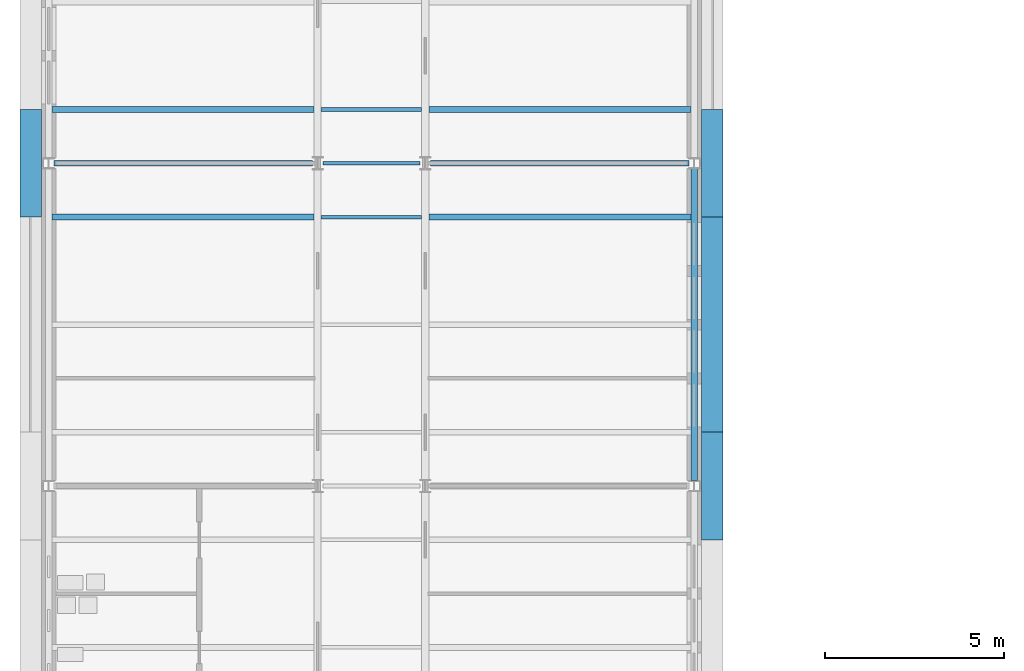
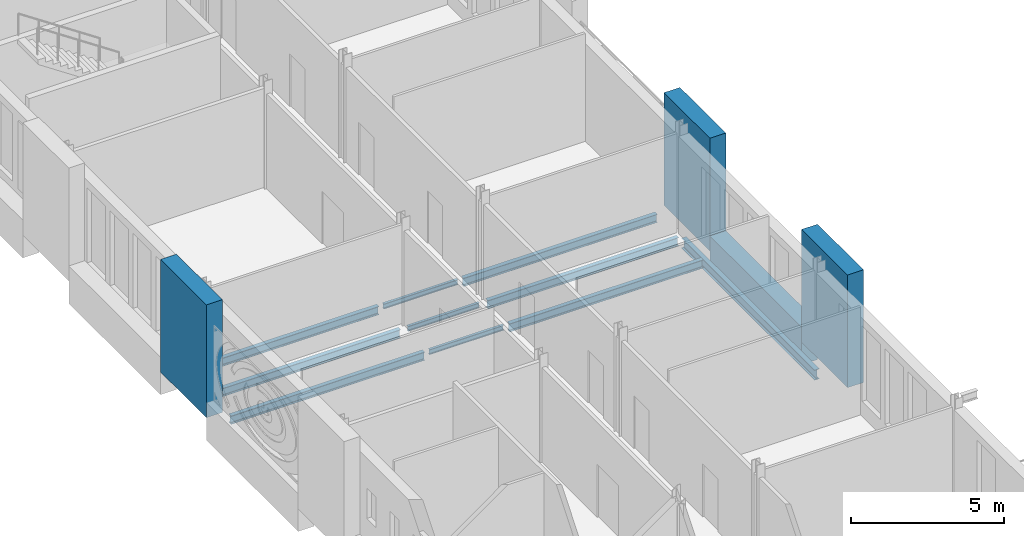
# One storey, part 21 of 134: 11 beams, 3 members.
"""IFC4 building model written with IfcOpenShell, lengths in metres."""

from ifc_helpers import new_model, si_unit, direction, frame, origin, origin_2d, place, context, subcontext, project, spatial, rectangle, i_section, extrude, material, material_profile, profile_set, type_object, element, save


model = new_model("IFC4")

# Units and contexts
model_context = context("Model", 3, precision=1e-05, world=origin(), true_north=direction((0.0, 1.0)))
body_context = subcontext(model_context, "Body", "Model", "MODEL_VIEW")
ifc_project = project(units=[si_unit("LENGTHUNIT", "METRE"), si_unit("AREAUNIT", "SQUARE_METRE"), si_unit("VOLUMEUNIT", "CUBIC_METRE"), si_unit("PLANEANGLEUNIT", "RADIAN"), si_unit("MASSUNIT", "GRAM", prefix="KILO")], contexts=[model_context])

# Site, building, storey
site_placement = place(None, origin())
site = spatial("IfcSite", under=ifc_project, at=site_placement, CompositionType="ELEMENT")
building_placement = place(site_placement, origin())
building = spatial("IfcBuilding", under=site, at=building_placement, Name="Golden Quay Civic Hall", CompositionType="ELEMENT")
storey_placement = place(building_placement, frame((0.0, 0.0, 5.39990234375)))
storey = spatial("IfcBuildingStorey", under=building, at=storey_placement, Name="L01", CompositionType="ELEMENT", Elevation=5.39990234375)

# Members
ifc_material_1 = material(Name="Concrete C40/50", Category="concrete")
ifc_material_profile_1 = material_profile(ifc_material_1, rectangle(XDim=3.0, YDim=0.60009765625, at=origin_2d()), Name="RC 3000x600")
ifc_profile_set_1 = profile_set([ifc_material_profile_1], Name="Concrete C40/50")
member_type = type_object("IfcMemberType", Name="Precast concrete facade pier 3000 x 600", PredefinedType="POST", material=ifc_profile_set_1)
for number, where, z_axis, x_axis, name in (
    (1, (-0.5, 18.0, 0.0), (0.0, 0.0, 1.0), (0.0, 1.0, 0.0), "Precast concrete facade pier 3000 x 600 L01 2"),
    (2, (18.5, 9.0, 0.0), (0.0, 0.0, 1.0), (0.0, 1.0, 0.0), "Precast concrete facade pier 3000 x 600 L01 11"),
    (3, (18.5, 18.0, 0.0), (0.0, 0.0, 1.0), (0.0, 1.0, 0.0), "Precast concrete facade pier 3000 x 600 L01 12"),
):
    element("IfcMember", number, at=place(storey_placement, frame(where, z_axis=z_axis, x_axis=x_axis)), inside=storey, type_object=member_type, Name=name, PredefinedType="POST", context=body_context, shape_type="SweptSolid", body=[
        extrude(rectangle(XDim=3.0, YDim=0.60009765625, at=origin_2d()), origin(), (0.0, 0.0, 1.0), 4.5),
    ])

# Beams
ifc_material_2 = material(Name="Concrete C40/50", Category="concrete")
ifc_material_profile_2 = material_profile(ifc_material_2, rectangle(XDim=0.60009765625, YDim=1.5, at=origin_2d()), Name="RC 600x1500")
ifc_profile_set_2 = profile_set([ifc_material_profile_2], Name="Concrete C40/50")
beam_type_1 = type_object("IfcBeamType", Name="Precast concrete spandrel beam 600 x 1500", PredefinedType="SPANDREL", material=ifc_profile_set_2)
beam_1_placement = place(storey_placement, frame((18.5, 10.5, -0.14990234375), z_axis=(0.0, 1.0, 0.0), x_axis=(-1.0, 0.0, 0.0)))
element("IfcBeam", 4, at=beam_1_placement, inside=storey, type_object=beam_type_1, Name="Precast concrete spandrel beam 600 x 1500 L01 16", PredefinedType="SPANDREL", context=body_context, shape_type="SweptSolid", body=[
    extrude(rectangle(XDim=0.60009765625, YDim=1.5, at=origin_2d()), origin(), (0.0, 0.0, 1.0), 6.0),
])
ifc_material_3 = material(Name="Steel S355", Category="steel")
ifc_material_profile_3 = material_profile(ifc_material_3, i_section(OverallWidth=0.10009765625, OverallDepth=0.199951171875, WebThickness=0.005615234375, FlangeThickness=0.008544921875, FilletRadius=0.011962890625, at=origin_2d()), Name="IPE 200")
ifc_profile_set_3 = profile_set([ifc_material_profile_3], Name="Steel S355")
beam_type_2 = type_object("IfcBeamType", Name="Steel beam IPE 200", PredefinedType="BEAM", material=ifc_profile_set_3)
beam_2_placement = place(storey_placement, frame((7.64990234375, 18.0, -0.2998046875), z_axis=(1.0, 0.0, 0.0), x_axis=(0.0, 1.0, 0.0)))
element("IfcBeam", 5, at=beam_2_placement, inside=storey, type_object=beam_type_2, Name="Beam S18-7.5", PredefinedType="BEAM", context=body_context, shape_type="SweptSolid", body=[
    extrude(i_section(OverallWidth=0.10009765625, OverallDepth=0.199951171875, WebThickness=0.005615234375, FlangeThickness=0.008544921875, FilletRadius=0.011962890625, at=origin_2d()), origin(), (0.0, 0.0, 1.0), 2.7001953125),
])
ifc_material_4 = material(Name="Steel S355", Category="steel")
ifc_material_profile_4 = material_profile(ifc_material_4, i_section(OverallWidth=0.159912109375, OverallDepth=0.330078125, WebThickness=0.007568359375, FlangeThickness=0.011474609375, FilletRadius=0.01806640625, at=origin_2d()), Name="IPE 330")
ifc_profile_set_4 = profile_set([ifc_material_profile_4], Name="Steel S355")
beam_type_3 = type_object("IfcBeamType", Name="Steel beam IPE 330", PredefinedType="BEAM", material=ifc_profile_set_4)
for number, where, z_axis, x_axis, name in (
    (6, (0.14990234375, 18.0, -0.364990234375), (1.0, 0.0, 0.0), (0.0, 1.0, 0.0), "Beam S18-0"),
    (7, (10.64990234375, 18.0, -0.364990234375), (1.0, 0.0, 0.0), (0.0, 1.0, 0.0), "Beam S18-10.5"),
):
    element("IfcBeam", number, at=place(storey_placement, frame(where, z_axis=z_axis, x_axis=x_axis)), inside=storey, type_object=beam_type_3, Name=name, PredefinedType="BEAM", context=body_context, shape_type="SweptSolid", body=[
        extrude(i_section(OverallWidth=0.159912109375, OverallDepth=0.330078125, WebThickness=0.007568359375, FlangeThickness=0.011474609375, FilletRadius=0.01806640625, at=origin_2d()), origin(), (0.0, 0.0, 1.0), 7.2001953125),
    ])
ifc_material_5 = material(Name="Steel S355", Category="steel")
ifc_material_profile_5 = material_profile(ifc_material_5, i_section(OverallWidth=0.179931640625, OverallDepth=0.39990234375, WebThickness=0.008544921875, FlangeThickness=0.013427734375, FilletRadius=0.02099609375, at=origin_2d()), Name="IPE 400")
ifc_profile_set_5 = profile_set([ifc_material_profile_5], Name="Steel S355")
beam_type_4 = type_object("IfcBeamType", Name="Steel beam IPE 400", PredefinedType="BEAM", material=ifc_profile_set_5)
beam_3_placement = place(storey_placement, frame((18.0, 9.14990234375, -0.39990234375), z_axis=(0.0, 1.0, 0.0), x_axis=(-1.0, 0.0, 0.0)))
element("IfcBeam", 8, at=beam_3_placement, inside=storey, type_object=beam_type_4, Name="Beam L18-9", PredefinedType="BEAM", context=body_context, shape_type="SweptSolid", body=[
    extrude(i_section(OverallWidth=0.179931640625, OverallDepth=0.39990234375, WebThickness=0.008544921875, FlangeThickness=0.013427734375, FilletRadius=0.02099609375, at=origin_2d()), origin(), (0.0, 0.0, 1.0), 8.7001953125),
])
ifc_material_6 = material(Name="Steel S355", Category="steel")
ifc_material_profile_6 = material_profile(ifc_material_6, i_section(OverallWidth=0.10009765625, OverallDepth=0.199951171875, WebThickness=0.005615234375, FlangeThickness=0.008544921875, FilletRadius=0.011962890625, at=origin_2d()), Name="IPE 200")
ifc_profile_set_6 = profile_set([ifc_material_profile_6], Name="Steel S355")
beam_type_5 = type_object("IfcBeamType", Name="Steel joist IPE 200", PredefinedType="JOIST", material=ifc_profile_set_6)
for number, where, z_axis, x_axis, name in (
    (9, (7.60009765625, 16.5, -0.2998046875), (1.0, 0.0, 0.0), (0.0, 1.0, 0.0), "Joist J16.5-7.5"),
    (10, (7.60009765625, 19.5, -0.2998046875), (1.0, 0.0, 0.0), (0.0, 1.0, 0.0), "Joist J19.5-7.5"),
):
    element("IfcBeam", number, at=place(storey_placement, frame(where, z_axis=z_axis, x_axis=x_axis)), inside=storey, type_object=beam_type_5, Name=name, PredefinedType="JOIST", context=body_context, shape_type="SweptSolid", body=[
        extrude(i_section(OverallWidth=0.10009765625, OverallDepth=0.199951171875, WebThickness=0.005615234375, FlangeThickness=0.008544921875, FilletRadius=0.011962890625, at=origin_2d()), origin(), (0.0, 0.0, 1.0), 2.7998046875),
    ])
ifc_material_7 = material(Name="Steel S355", Category="steel")
ifc_material_profile_7 = material_profile(ifc_material_7, i_section(OverallWidth=0.159912109375, OverallDepth=0.330078125, WebThickness=0.007568359375, FlangeThickness=0.011474609375, FilletRadius=0.01806640625, at=origin_2d()), Name="IPE 330")
ifc_profile_set_7 = profile_set([ifc_material_profile_7], Name="Steel S355")
beam_type_6 = type_object("IfcBeamType", Name="Steel joist IPE 330", PredefinedType="JOIST", material=ifc_profile_set_7)
for number, where, z_axis, x_axis, name in (
    (11, (0.090087890625, 16.5, -0.364990234375), (1.0, 0.0, 0.0), (0.0, 1.0, 0.0), "Joist J16.5-0"),
    (12, (10.60009765625, 16.5, -0.364990234375), (1.0, 0.0, 0.0), (0.0, 1.0, 0.0), "Joist J16.5-10.5"),
    (13, (0.090087890625, 19.5, -0.364990234375), (1.0, 0.0, 0.0), (0.0, 1.0, 0.0), "Joist J19.5-0"),
    (14, (10.60009765625, 19.5, -0.364990234375), (1.0, 0.0, 0.0), (0.0, 1.0, 0.0), "Joist J19.5-10.5"),
):
    element("IfcBeam", number, at=place(storey_placement, frame(where, z_axis=z_axis, x_axis=x_axis)), inside=storey, type_object=beam_type_6, Name=name, PredefinedType="JOIST", context=body_context, shape_type="SweptSolid", body=[
        extrude(i_section(OverallWidth=0.159912109375, OverallDepth=0.330078125, WebThickness=0.007568359375, FlangeThickness=0.011474609375, FilletRadius=0.01806640625, at=origin_2d()), origin(), (0.0, 0.0, 1.0), 7.309814453125),
    ])

save(model, "model.ifc")
